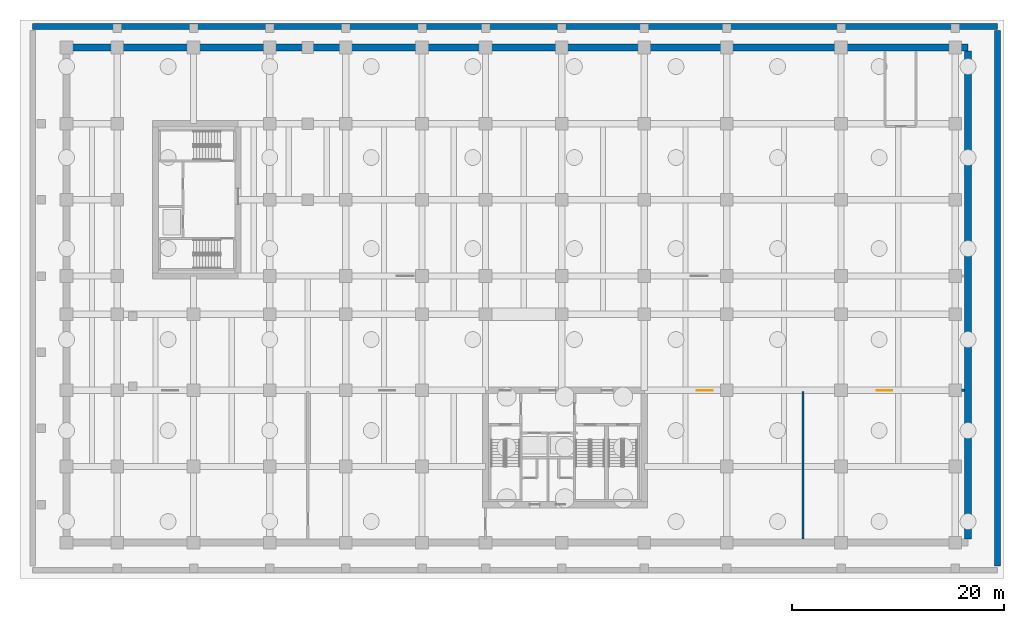
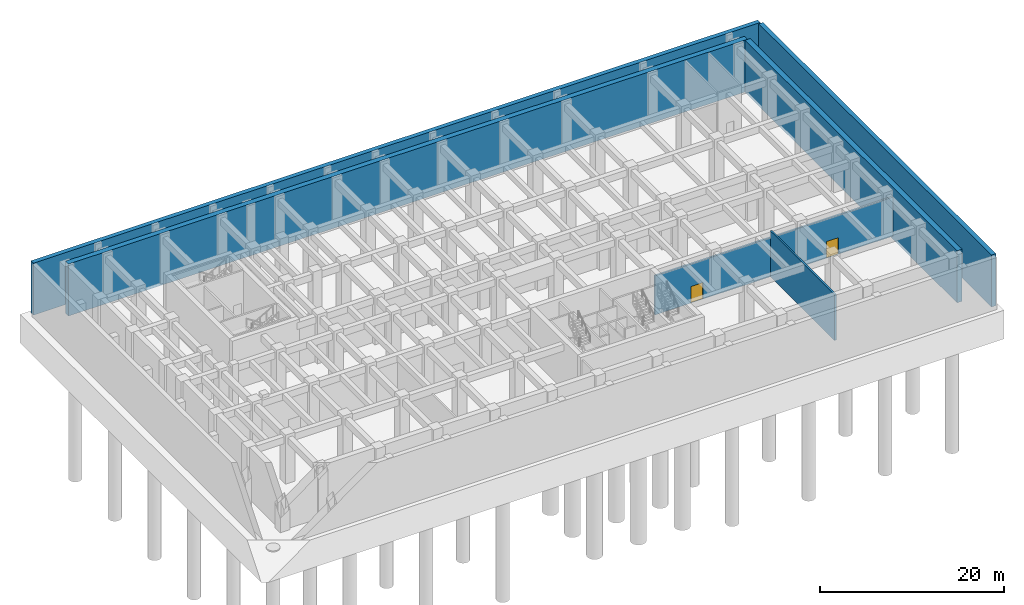
# One storey, part 8 of 13: 6 walls, 2 doors, 2 openings.
"""IFC4 building model written with IfcOpenShell, lengths in metres."""

from ifc_helpers import new_model, si_unit, derived_unit, direction, frame, frame_2d, origin, place, context, subcontext, project, spatial, rectangle, extrude, source, transform, mapped, material, layer, layer_set, type_object, type_shapes, element, fill, save


model = new_model("IFC4")

# Units and contexts
model_context = context("Model", 3, precision=1e-05, world=origin(), true_north=direction((0.0, 1.0)))
body_context = subcontext(model_context, "Body", "Model", "MODEL_VIEW")
ifc_project = project(units=[si_unit("LENGTHUNIT", "METRE"), si_unit("AREAUNIT", "SQUARE_METRE"), si_unit("VOLUMEUNIT", "CUBIC_METRE"), si_unit("PLANEANGLEUNIT", "RADIAN"), si_unit("MASSUNIT", "GRAM", prefix="KILO"), si_unit("THERMODYNAMICTEMPERATUREUNIT", "KELVIN"), si_unit("POWERUNIT", "WATT"), derived_unit("THERMALTRANSMITTANCEUNIT", [(si_unit("POWERUNIT", "WATT"), 1), (si_unit("AREAUNIT", "SQUARE_METRE"), -1), (si_unit("THERMODYNAMICTEMPERATUREUNIT", "KELVIN"), -1)])], contexts=[model_context])

# Site, building, storey
site_placement = place(None, origin())
site = spatial("IfcSite", under=ifc_project, at=site_placement, CompositionType="ELEMENT")
building_placement = place(site_placement, origin())
building = spatial("IfcBuilding", under=site, at=building_placement, Name="Zahravan Archway Hotel and Residences", CompositionType="ELEMENT")
storey_placement = place(building_placement, frame((0.0, 0.0, -13.0)))
storey = spatial("IfcBuildingStorey", under=building, at=storey_placement, Name="B02", CompositionType="ELEMENT", Elevation=-13.0)

# Walls
ifc_material_1 = material(Name="Concrete C50/60", Category="concrete")
ifc_layer_1 = layer(ifc_material_1, 0.550048828125, Name="Concrete C50/60", Category="concrete")
ifc_layer_set_1 = layer_set([ifc_layer_1], Name="Concrete C50/60")
wall_type_1 = type_object("IfcWallType", Name="BW-RET-550", PredefinedType="USERDEFINED", material=ifc_layer_set_1)
wall_1_placement = place(storey_placement, frame((-8.0, 48.800048828125, -0.39990234375), z_axis=(0.0, 0.0, 1.0), x_axis=(1.0, 0.0, 0.0)))
element("IfcWall", 1, at=wall_1_placement, inside=storey, type_object=wall_type_1, Name="B02 Forecourt Foundation Wall PN", ObjectType="RETAINING", PredefinedType="USERDEFINED", context=body_context, shape_type="SweptSolid", body=[
    extrude(rectangle(XDim=91.199951171875, YDim=0.550048828125, at=frame_2d((45.60009765625, 0.0))), origin(), (0.0, 0.0, 1.0), 6.89990234375),
])
wall_2_placement = place(storey_placement, frame((83.199951171875, -2.199951171875, -0.39990234375), z_axis=(0.0, 0.0, 1.0), x_axis=(0.0, 1.0, 0.0)))
element("IfcWall", 2, at=wall_2_placement, inside=storey, type_object=wall_type_1, Name="B02 Forecourt Foundation Wall PE", ObjectType="RETAINING", PredefinedType="USERDEFINED", context=body_context, shape_type="SweptSolid", body=[
    extrude(rectangle(XDim=50.599853515625, YDim=0.550048828125, at=frame_2d((25.2998046875, 0.0))), origin(), (0.0, 0.0, 1.0), 6.89990234375),
])
ifc_layer_2 = layer(ifc_material_1, 0.64990234375, Name="Concrete C50/60", Category="concrete")
ifc_layer_set_2 = layer_set([ifc_layer_2], Name="Concrete C50/60")
wall_type_2 = type_object("IfcWallType", Name="BW-RET-650", PredefinedType="USERDEFINED", material=ifc_layer_set_2)
wall_3_placement = place(storey_placement, frame((80.39990234375, 0.35009765625, -0.39990234375), z_axis=(0.0, 0.0, 1.0), x_axis=(0.0, 1.0, 0.0)))
element("IfcWall", 3, at=wall_3_placement, inside=storey, type_object=wall_type_2, Name="B02 Basement Retaining E Wall", ObjectType="RETAINING", PredefinedType="USERDEFINED", context=body_context, shape_type="SweptSolid", body=[
    extrude(rectangle(XDim=46.099853515625, YDim=0.64990234375, at=frame_2d((23.0498046875, 0.0))), origin(), (0.0, 0.0, 1.0), 6.89990234375),
])
wall_4_placement = place(storey_placement, frame((80.39990234375, 46.800048828125, -0.39990234375), z_axis=(0.0, 0.0, 1.0), x_axis=(-1.0, 0.0, 0.0)))
element("IfcWall", 4, at=wall_4_placement, inside=storey, type_object=wall_type_2, Name="B02 Basement Retaining N Wall", ObjectType="RETAINING", PredefinedType="USERDEFINED", context=body_context, shape_type="SweptSolid", body=[
    extrude(rectangle(XDim=85.199951171875, YDim=0.64990234375, at=frame_2d((42.60009765625, 0.0))), origin(), (0.0, 0.0, 1.0), 6.89990234375),
])

# Wall, openings, doors
ifc_material_2 = material(Name="Fire-Rated Gypsum & Concrete Block", Category="concrete")
ifc_layer_3 = layer(ifc_material_2, 0.219970703125, Name="Fire-Rated Gypsum & Concrete Block", Category="concrete")
ifc_layer_set_3 = layer_set([ifc_layer_3], Name="Fire-Rated Gypsum & Concrete Block")
wall_type_3 = type_object("IfcWallType", Name="PW-COMP-220", PredefinedType="PARTITIONING", material=ifc_layer_set_3)
wall_5_placement = place(storey_placement, frame((50.239990234375, 14.39990234375, 0.0), z_axis=(0.0, 0.0, 1.0), x_axis=(1.0, 0.0, 0.0)))
wall_5 = element("IfcWall", 5, at=wall_5_placement, inside=storey, type_object=wall_type_3, Name="B02 Partition B2-TK1", PredefinedType="PARTITIONING", context=body_context, shape_type="SweptSolid", body=[
    extrude(rectangle(XDim=29.826904296875, YDim=0.219970703125, at=frame_2d((14.91357421875, 0.0))), origin(), (0.0, 0.0, 1.0), 5.18505859375),
])
opening_1_placement = place(wall_5_placement, frame((4.510009765625, 0.0, 0.0)))
opening_1 = element("IfcOpeningElement", 6, at=opening_1_placement, cuts=wall_5, Name="Opening FD-L1", PredefinedType="OPENING", context=body_context, shape_type="SweptSolid", body=[
    extrude(rectangle(XDim=1.5, YDim=2.199951171875, at=frame_2d((0.75, 1.10009765625))), frame((0.0, 0.1201171875, 0.0), z_axis=(0.0, -1.0, 0.0), x_axis=(1.0, 0.0, 0.0)), (0.0, 0.0, 1.0), 0.239990234375),
])
opening_2_placement = place(wall_5_placement, frame((21.510009765625, 0.0, 0.0)))
opening_2 = element("IfcOpeningElement", 7, at=opening_2_placement, cuts=wall_5, Name="Opening FD-L1", PredefinedType="OPENING", context=body_context, shape_type="SweptSolid", body=[
    extrude(rectangle(XDim=1.5, YDim=2.199951171875, at=frame_2d((0.75, 1.10009765625))), frame((0.0, 0.1201171875, 0.0), z_axis=(0.0, -1.0, 0.0), x_axis=(1.0, 0.0, 0.0)), (0.0, 0.0, 1.0), 0.239990234375),
])
ifc_material_3 = material(Name="Fire-Rated Painted Steel", Category="steel")
door_type = type_object("IfcDoorType", Name="FD-LOBBY-1500", OperationType="DOUBLE_DOOR_SINGLE_SWING", PredefinedType="DOOR", material=ifc_material_3)
shared_shape = source(origin(), body_context, "Body", "SweptSolid", [
    extrude(rectangle(XDim=1.5, YDim=2.199951171875, at=frame_2d((0.75, 1.10009765625))), frame((0.0, 0.02490234375, 0.0), z_axis=(0.0, -1.0, 0.0), x_axis=(1.0, 0.0, 0.0)), (0.0, 0.0, 1.0), 0.050048828125),
])
type_shapes(door_type, [shared_shape])
door_1_placement = place(opening_1_placement, origin())
door_1 = element("IfcDoor", 8, at=door_1_placement, inside=storey, type_object=door_type, Name="B02 Water Tank Hall Door", OperationType="DOUBLE_DOOR_SINGLE_SWING", OverallHeight=2.199951171875, OverallWidth=1.5, PredefinedType="DOOR", context=body_context, shape_type="MappedRepresentation", body=[
    mapped(shared_shape, transform((0.0, 0.0, 0.0), scale=1.0)),
])
fill(opening_1, door_1)
door_2_placement = place(opening_2_placement, origin())
door_2 = element("IfcDoor", 9, at=door_2_placement, inside=storey, type_object=door_type, Name="B02 MV Substation Door", OperationType="DOUBLE_DOOR_SINGLE_SWING", OverallHeight=2.199951171875, OverallWidth=1.5, PredefinedType="DOOR", context=body_context, shape_type="MappedRepresentation", body=[
    mapped(shared_shape, transform((0.0, 0.0, 0.0), scale=1.0)),
])
fill(opening_2, door_2)

# Wall
wall_6_placement = place(storey_placement, frame((64.800048828125, 0.3330078125, 0.0), z_axis=(0.0, 0.0, 1.0), x_axis=(0.0, 1.0, 0.0)))
element("IfcWall", 10, at=wall_6_placement, inside=storey, type_object=wall_type_3, Name="B02 Partition B2-TK2", PredefinedType="PARTITIONING", context=body_context, shape_type="SweptSolid", body=[
    extrude(rectangle(XDim=13.97705078125, YDim=0.219970703125, at=frame_2d((6.988525390625, 0.0))), origin(), (0.0, 0.0, 1.0), 6.10009765625),
])

save(model, "model.ifc")
